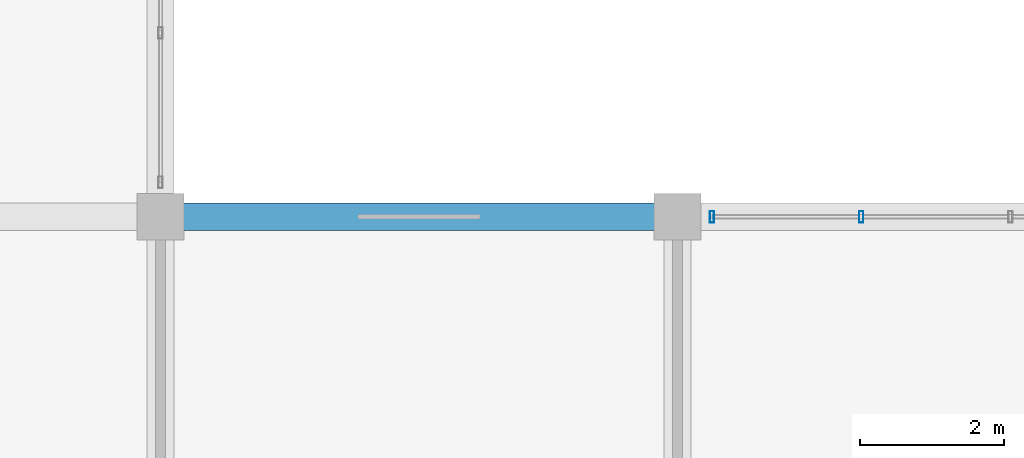
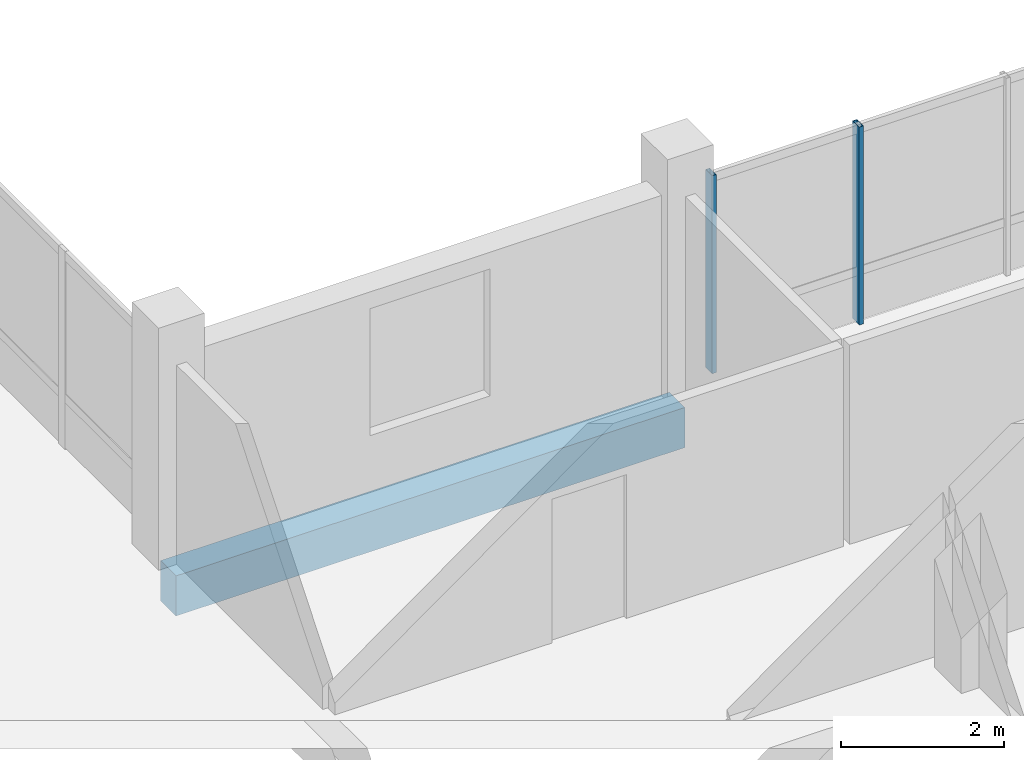
# One storey, part 6 of 93: 2 members, 1 beam, 1 element without a shape of its own.
"""IFC4 building model written with IfcOpenShell, lengths in metres."""

from ifc_helpers import new_model, si_unit, direction, frame, origin, origin_2d, place, context, subcontext, project, spatial, rectangle, hollow_rectangle, extrude, material, material_profile, profile_set, type_object, element, aggregate, save


model = new_model("IFC4")

# Units and contexts
model_context = context("Model", 3, precision=1e-05, world=origin(), true_north=direction((0.0, 1.0)))
body_context = subcontext(model_context, "Body", "Model", "MODEL_VIEW")
ifc_project = project(units=[si_unit("LENGTHUNIT", "METRE"), si_unit("AREAUNIT", "SQUARE_METRE"), si_unit("VOLUMEUNIT", "CUBIC_METRE"), si_unit("PLANEANGLEUNIT", "RADIAN"), si_unit("MASSUNIT", "GRAM", prefix="KILO")], contexts=[model_context])

# Site, building, storey
site_placement = place(None, origin())
site = spatial("IfcSite", under=ifc_project, at=site_placement, CompositionType="ELEMENT")
building_placement = place(site_placement, origin())
building = spatial("IfcBuilding", under=site, at=building_placement, Name="Zornivar Specialist Clinic", CompositionType="ELEMENT")
storey_placement = place(building_placement, frame((0.0, 0.0, 8.39990234375)))
storey = spatial("IfcBuildingStorey", under=building, at=storey_placement, Name="L02", CompositionType="ELEMENT", Elevation=8.39990234375)

# Beam
ifc_material_1 = material(Name="Concrete C30/37", Category="concrete")
ifc_material_profile_1 = material_profile(ifc_material_1, rectangle(XDim=0.3798828125, YDim=0.60009765625, at=origin_2d()), Name="RC 380x600")
ifc_profile_set_1 = profile_set([ifc_material_profile_1], Name="Concrete C30/37")
beam_type = type_object("IfcBeamType", Name="BM-RC-380x600", PredefinedType="BEAM", material=ifc_profile_set_1)
beam_placement = place(storey_placement, frame((14.39990234375, 14.39990234375, -0.579833984375), z_axis=(1.0, 0.0, 0.0), x_axis=(0.0, 1.0, 0.0)))
element("IfcBeam", 1, at=beam_placement, inside=storey, type_object=beam_type, Name="bm:V2:L02:x:144:2", PredefinedType="BEAM", context=body_context, shape_type="SweptSolid", body=[
    extrude(rectangle(XDim=0.3798828125, YDim=0.60009765625, at=origin_2d()), origin(), (0.0, 0.0, 1.0), 7.2001953125),
])

# Curtain wall, members
ifc_material_2 = material(Name="Aluminium and Low-E Glass Curtain Wall", Category="aluminium")
curtain_wall_type = type_object("IfcCurtainWallType", Name="CW-REVAK-COURT", PredefinedType="NOTDEFINED", material=ifc_material_2)
curtain_wall_placement = place(storey_placement, origin())
curtain_wall = element("IfcCurtainWall", 2, at=curtain_wall_placement, inside=storey, type_object=curtain_wall_type, Name="cw:V2:L02:12", PredefinedType="NOTDEFINED")
ifc_material_3 = material(Name="Aluminium AW-6060", Category="aluminium")
ifc_material_profile_2 = material_profile(ifc_material_3, hollow_rectangle(XDim=0.06005859375, YDim=0.159912109375, WallThickness=0.00390625, at=origin_2d()), Name="ALU 60x160x4")
ifc_profile_set_2 = profile_set([ifc_material_profile_2], Name="Aluminium AW-6060")
member_type = type_object("IfcMemberType", Name="CWM-MUL-160", PredefinedType="MULLION", material=ifc_profile_set_2)
member_1_placement = place(storey_placement, frame((24.159912109375, 14.39990234375, 0.0), z_axis=(0.0, 0.0, 1.0), x_axis=(1.0, 0.0, 0.0)))
member_1 = element("IfcMember", 3, at=member_1_placement, type_object=member_type, Name="cw:V2:L02:12:mul:2", PredefinedType="MULLION", context=body_context, shape_type="SweptSolid", body=[
    extrude(hollow_rectangle(XDim=0.06005859375, YDim=0.159912109375, WallThickness=0.00390625, at=origin_2d()), origin(), (0.0, 0.0, 1.0), 2.960205078125),
])
member_2_placement = place(storey_placement, frame((22.080078125, 14.39990234375, 0.0), z_axis=(0.0, 0.0, 1.0), x_axis=(1.0, 0.0, 0.0)))
member_2 = element("IfcMember", 4, at=member_2_placement, type_object=member_type, Name="cw:V2:L02:12:mul:3", PredefinedType="MULLION", context=body_context, shape_type="SweptSolid", body=[
    extrude(hollow_rectangle(XDim=0.06005859375, YDim=0.159912109375, WallThickness=0.00390625, at=origin_2d()), origin(), (0.0, 0.0, 1.0), 2.960205078125),
])
aggregate(curtain_wall, [member_1, member_2])

save(model, "model.ifc")
